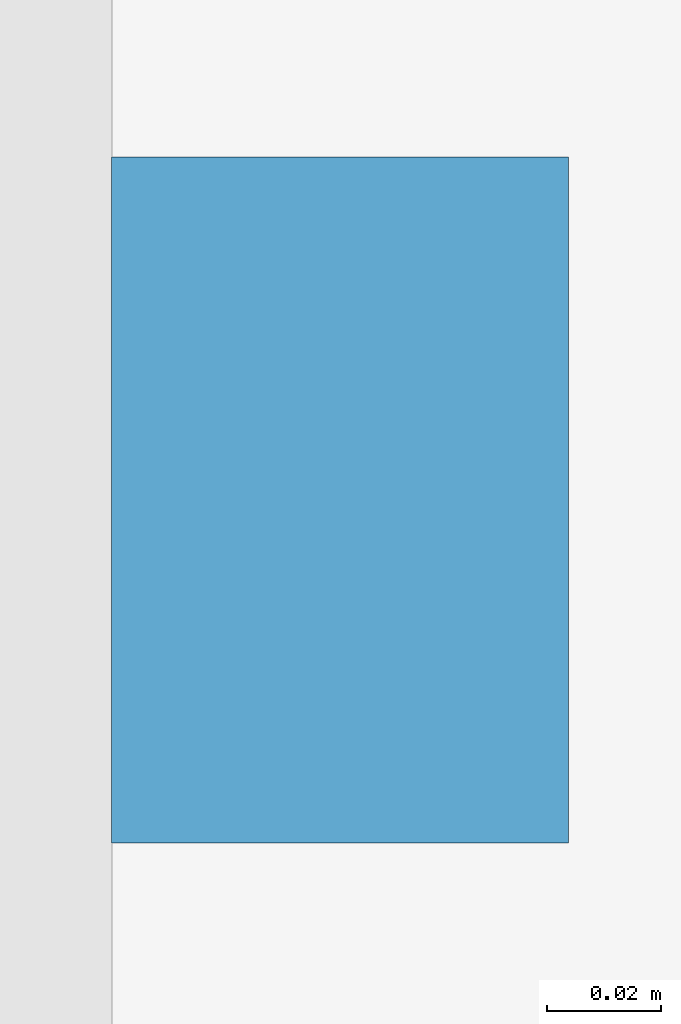
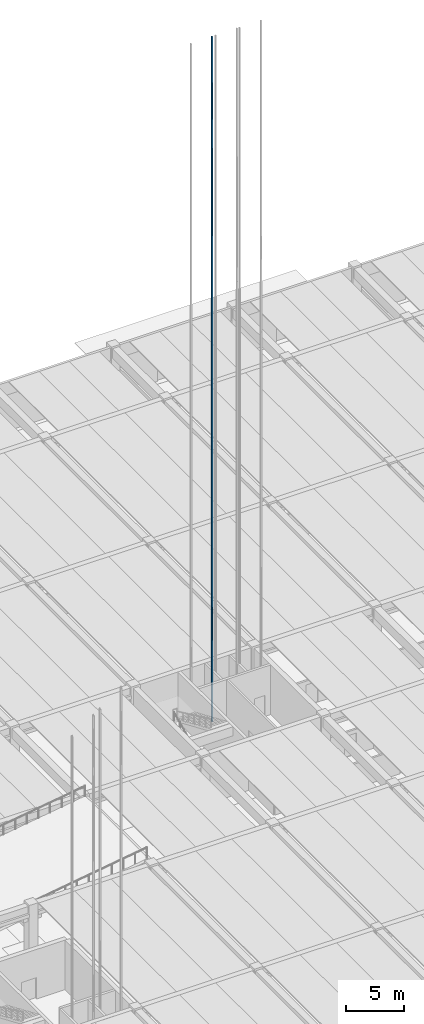
# One storey, part 45 of 59: 1 discrete accessory.
"""IFC4 building model written with IfcOpenShell, lengths in metres."""

from ifc_helpers import new_model, si_unit, direction, frame, origin, origin_2d, place, context, subcontext, project, spatial, rectangle, extrude, material, type_object, element, save


model = new_model("IFC4")

# Units and contexts
model_context = context("Model", 3, precision=1e-05, world=origin(), true_north=direction((0.0, 1.0)))
body_context = subcontext(model_context, "Body", "Model", "MODEL_VIEW")
ifc_project = project(units=[si_unit("LENGTHUNIT", "METRE"), si_unit("AREAUNIT", "SQUARE_METRE"), si_unit("VOLUMEUNIT", "CUBIC_METRE"), si_unit("PLANEANGLEUNIT", "RADIAN"), si_unit("MASSUNIT", "GRAM", prefix="KILO")], contexts=[model_context])

# Site, building, storey
site_placement = place(None, origin())
site = spatial("IfcSite", under=ifc_project, at=site_placement, CompositionType="ELEMENT")
building_placement = place(site_placement, origin())
building = spatial("IfcBuilding", under=site, at=building_placement, Name="Girod Span Mobility Hub", CompositionType="ELEMENT")
storey_placement = place(building_placement, origin())
storey = spatial("IfcBuildingStorey", under=building, at=storey_placement, Name="L00", CompositionType="ELEMENT", Elevation=0.0)

# Discrete accessory
ifc_material = material(Name="Steel A992 Grade 50", Category="steel")
discrete_accessory_type = type_object("IfcDiscreteAccessoryType", Name="ACC-LFT-RAIL", PredefinedType="USERDEFINED", material=ifc_material)
discrete_accessory_placement = place(storey_placement, frame((114.85498046875, 67.300048828125, 0.0), z_axis=(0.0, 0.0, 1.0), x_axis=(1.0, 0.0, 0.0)))
element("IfcDiscreteAccessory", 1, at=discrete_accessory_placement, inside=storey, type_object=discrete_accessory_type, Name="Hoistway Guide Rail FL-2-E", ObjectType="GUIDE RAIL", PredefinedType="USERDEFINED", context=body_context, shape_type="SweptSolid", body=[
    extrude(rectangle(XDim=0.080078125, YDim=0.1201171875, at=origin_2d()), origin(), (0.0, 0.0, 1.0), 71.949951171875),
])

save(model, "model.ifc")
